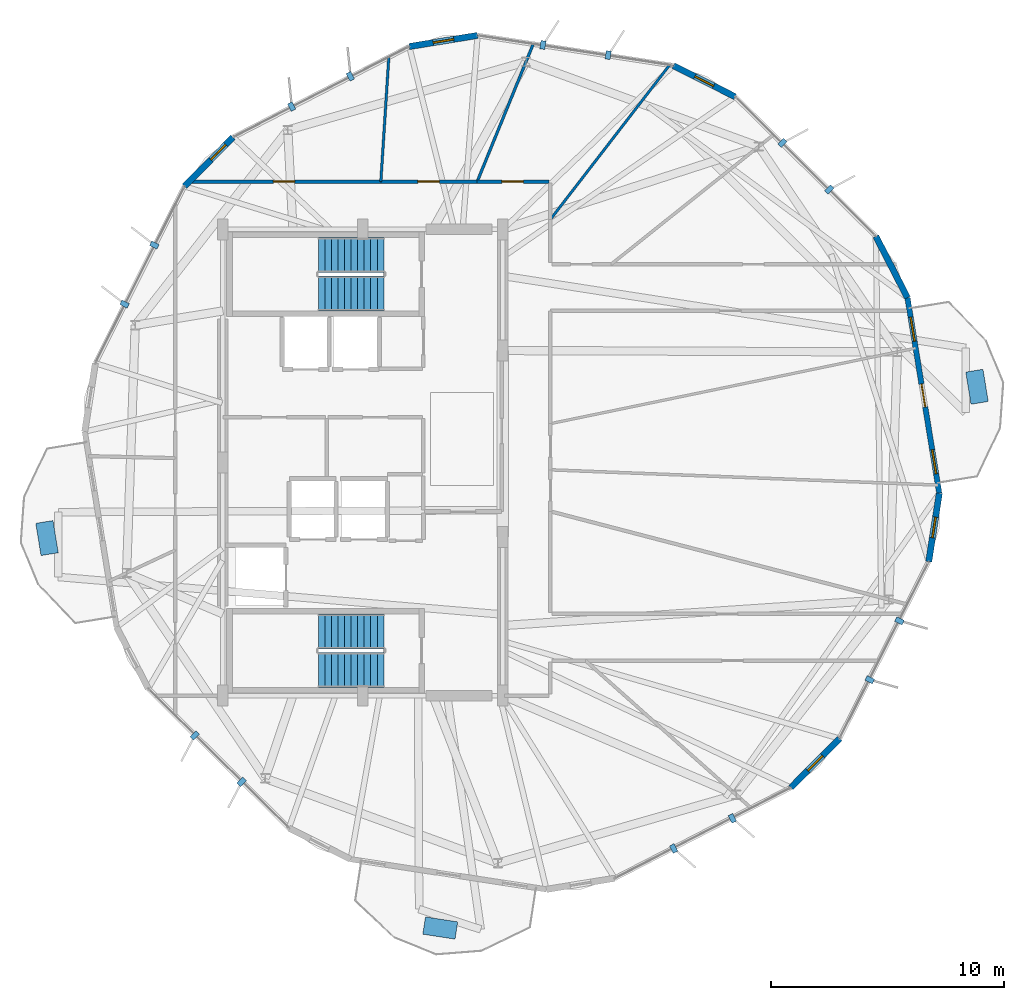
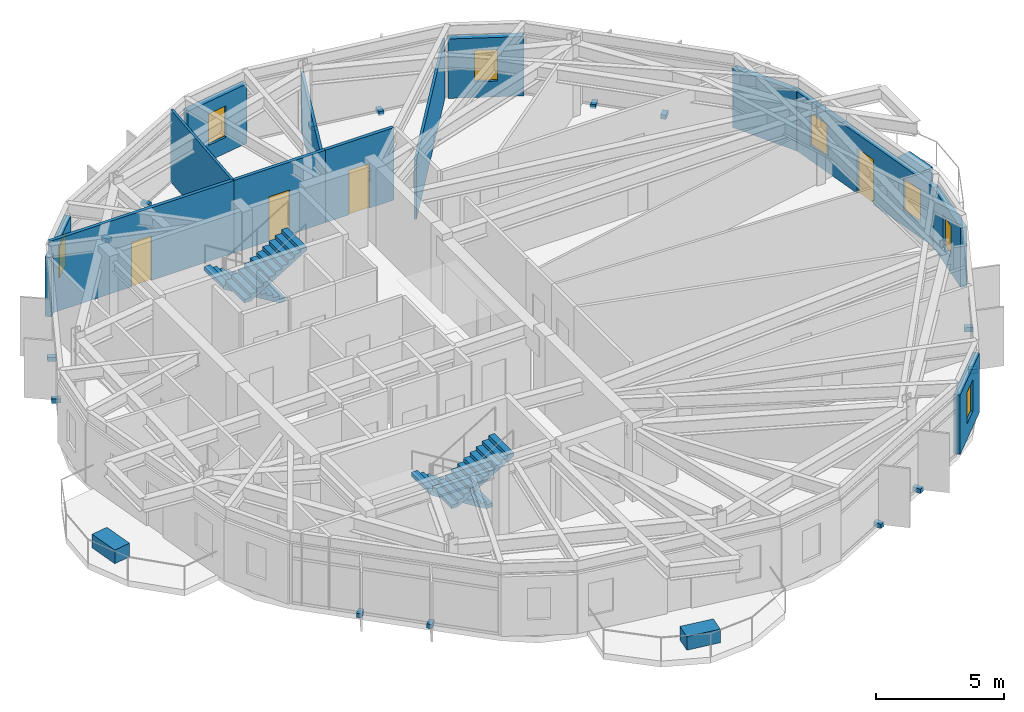
# One storey, part 19 of 22: 17 discrete accessories, 13 walls, 7 windows, 4 doors, 4 stair flights, 11 openings, 2 elements without a shape of their own.
"""IFC4 building model written with IfcOpenShell, lengths in metres."""

from ifc_helpers import new_model, si_unit, direction, frame, frame_2d, origin, origin_2d, place, context, subcontext, project, spatial, polyline, rectangle, outline, extrude, material, layer, layer_set, type_object, element, fill, aggregate, save


model = new_model("IFC4")

# Units and contexts
model_context = context("Model", 3, precision=1e-05, world=origin(), true_north=direction((0.0, 1.0)))
body_context = subcontext(model_context, "Body", "Model", "MODEL_VIEW")
ifc_project = project(units=[si_unit("LENGTHUNIT", "METRE"), si_unit("AREAUNIT", "SQUARE_METRE"), si_unit("VOLUMEUNIT", "CUBIC_METRE"), si_unit("PLANEANGLEUNIT", "RADIAN"), si_unit("MASSUNIT", "GRAM", prefix="KILO")], contexts=[model_context])

# Site, building, storey
site_placement = place(None, origin())
site = spatial("IfcSite", under=ifc_project, at=site_placement, CompositionType="ELEMENT")
building_placement = place(site_placement, origin())
building = spatial("IfcBuilding", under=site, at=building_placement, Name="Soratama Intermodal Tower", CompositionType="ELEMENT")
storey_placement = place(building_placement, frame((0.0, 0.0, 265.0)))
storey = spatial("IfcBuildingStorey", under=building, at=storey_placement, Name="L67", CompositionType="ELEMENT", Elevation=265.0)

# Wall, openings, door, windows
ifc_material_1 = material(Name="Concrete f'c 42 MPa", Category="concrete")
ifc_layer_1 = layer(ifc_material_1, 0.22998046875)
ifc_layer_set_1 = layer_set([ifc_layer_1], Name="Concrete f'c 42 MPa")
wall_type_1 = type_object("IfcWallType", Name="EW-BAL-230", PredefinedType="SOLIDWALL", material=ifc_layer_set_1)
wall_1_placement = place(storey_placement, frame((63.330322265625, 23.67626953125, 0.0), z_axis=(0.0, 0.0, 1.0), x_axis=(-0.16056432401, 0.987025378526, 0.0)))
wall_1 = element("IfcWall", 1, at=wall_1_placement, inside=storey, type_object=wall_type_1, Name="L67 Terrace Wall F09", PredefinedType="SOLIDWALL", context=body_context, shape_type="SweptSolid", body=[
    extrude(rectangle(XDim=8.499755859375, YDim=0.22998046875, at=frame_2d((4.25, 0.0))), origin(), (0.0, 0.0, 1.0), 2.8291015625),
])
opening_1_placement = place(wall_1_placement, frame((3.75, 0.0, 0.0)))
opening_1 = element("IfcOpeningElement", 2, at=opening_1_placement, cuts=wall_1, Name="Opening ED-2", PredefinedType="OPENING", context=body_context, shape_type="SweptSolid", body=[
    extrude(rectangle(XDim=1.0, YDim=2.14990234375, at=frame_2d((0.5, 1.074951171875))), frame((0.0, 0.125, 0.0), z_axis=(0.0, -1.0, 0.0), x_axis=(1.0, 0.0, 0.0)), (0.0, 0.0, 1.0), 0.25),
])
opening_2_placement = place(wall_1_placement, frame((0.844970703125, 0.0, 0.719970703125)))
opening_2 = element("IfcOpeningElement", 3, at=opening_2_placement, cuts=wall_1, Name="Opening WN-5", PredefinedType="OPENING", context=body_context, shape_type="SweptSolid", body=[
    extrude(rectangle(XDim=1.050048828125, YDim=1.550048828125, at=frame_2d((0.52490234375, 0.77490234375))), frame((0.0, 0.125, 0.0), z_axis=(0.0, -1.0, 0.0), x_axis=(1.0, 0.0, 0.0)), (0.0, 0.0, 1.0), 0.25),
])
opening_3_placement = place(wall_1_placement, frame((6.604736328125, 0.0, 0.719970703125)))
opening_3 = element("IfcOpeningElement", 4, at=opening_3_placement, cuts=wall_1, Name="Opening WN-5", PredefinedType="OPENING", context=body_context, shape_type="SweptSolid", body=[
    extrude(rectangle(XDim=1.050048828125, YDim=1.550048828125, at=frame_2d((0.52490234375, 0.77490234375))), frame((0.0, 0.125, 0.0), z_axis=(0.0, -1.0, 0.0), x_axis=(1.0, 0.0, 0.0)), (0.0, 0.0, 1.0), 0.25),
])
ifc_material_2 = material(Name="Double-glazed aluminium door", Category="aluminium")
door_type_1 = type_object("IfcDoorType", Name="DR-BAL-1000", OperationType="NOTDEFINED", PredefinedType="DOOR", material=ifc_material_2)
door_1_placement = place(opening_1_placement, origin())
door_1 = element("IfcDoor", 5, at=door_1_placement, inside=storey, type_object=door_type_1, Name="L67 Balcony Door F09", OperationType="SINGLE_SWING_LEFT", OverallHeight=2.14990234375, OverallWidth=1.0, PredefinedType="DOOR", context=body_context, shape_type="SweptSolid", body=[
    extrude(rectangle(XDim=1.0, YDim=2.14990234375, at=frame_2d((0.5, 1.074951171875))), frame((0.0, 0.02490234375, 0.0), z_axis=(0.0, -1.0, 0.0), x_axis=(1.0, 0.0, 0.0)), (0.0, 0.0, 1.0), 0.050048828125),
])
fill(opening_1, door_1)
ifc_material_3 = material(Name="Double-glazed aluminium window", Category="aluminium")
window_type_1 = type_object("IfcWindowType", Name="WN-FAC-1050", PartitioningType="SINGLE_PANEL", PredefinedType="WINDOW", material=ifc_material_3)
window_1_placement = place(opening_2_placement, origin())
window_1 = element("IfcWindow", 6, at=window_1_placement, inside=storey, type_object=window_type_1, Name="L67 Window A F09", OverallHeight=1.550048828125, OverallWidth=1.050048828125, PartitioningType="SINGLE_PANEL", PredefinedType="WINDOW", context=body_context, shape_type="SweptSolid", body=[
    extrude(rectangle(XDim=1.050048828125, YDim=1.550048828125, at=frame_2d((0.52490234375, 0.77490234375))), frame((0.0, 0.030029296875, 0.0), z_axis=(0.0, -1.0, 0.0), x_axis=(1.0, 0.0, 0.0)), (0.0, 0.0, 1.0), 0.06005859375),
])
fill(opening_2, window_1)
window_2_placement = place(opening_3_placement, origin())
window_2 = element("IfcWindow", 7, at=window_2_placement, inside=storey, type_object=window_type_1, Name="L67 Window B F09", OverallHeight=1.550048828125, OverallWidth=1.050048828125, PartitioningType="SINGLE_PANEL", PredefinedType="WINDOW", context=body_context, shape_type="SweptSolid", body=[
    extrude(rectangle(XDim=1.050048828125, YDim=1.550048828125, at=frame_2d((0.52490234375, 0.77490234375))), frame((0.0, 0.030029296875, 0.0), z_axis=(0.0, -1.0, 0.0), x_axis=(1.0, 0.0, 0.0)), (0.0, 0.0, 1.0), 0.06005859375),
])
fill(opening_3, window_2)

# Wall, opening, window
ifc_material_4 = material(Name="Concrete f'c 42 MPa", Category="concrete")
ifc_layer_2 = layer(ifc_material_4, 0.27001953125)
ifc_layer_set_2 = layer_set([ifc_layer_2], Name="Concrete f'c 42 MPa")
wall_type_2 = type_object("IfcWallType", Name="EW-CRN-270", PredefinedType="SOLIDWALL", material=ifc_layer_set_2)
wall_2_placement = place(storey_placement, frame((43.522705078125, 43.318603515625, 0.0), z_axis=(0.0, 0.0, 1.0), x_axis=(-0.98702699036, -0.16055441539, 0.0)))
wall_2 = element("IfcWall", 8, at=wall_2_placement, inside=storey, type_object=wall_type_2, Name="L67 Corner Closure Wall 01", PredefinedType="SOLIDWALL", context=body_context, shape_type="SweptSolid", body=[
    extrude(rectangle(XDim=2.966796875, YDim=0.27001953125, at=frame_2d((1.4833984375, 0.0))), origin(), (0.0, 0.0, 1.0), 2.8291015625),
])
opening_4_placement = place(wall_2_placement, frame((1.033203125, 0.0, 0.75)))
opening_4 = element("IfcOpeningElement", 9, at=opening_4_placement, cuts=wall_2, Name="Opening WN-6", PredefinedType="OPENING", context=body_context, shape_type="SweptSolid", body=[
    extrude(rectangle(XDim=0.89990234375, YDim=1.5, at=frame_2d((0.449951171875, 0.75))), frame((0.0, 0.14501953125, 0.0), z_axis=(0.0, -1.0, 0.0), x_axis=(1.0, 0.0, 0.0)), (0.0, 0.0, 1.0), 0.2900390625),
])
ifc_material_5 = material(Name="Double-glazed aluminium window", Category="aluminium")
window_type_2 = type_object("IfcWindowType", Name="WN-FAC-900", PartitioningType="SINGLE_PANEL", PredefinedType="WINDOW", material=ifc_material_5)
window_3_placement = place(opening_4_placement, origin())
window_3 = element("IfcWindow", 10, at=window_3_placement, inside=storey, type_object=window_type_2, Name="L67 Corner Window 01", OverallHeight=1.5, OverallWidth=0.89990234375, PartitioningType="SINGLE_PANEL", PredefinedType="WINDOW", context=body_context, shape_type="SweptSolid", body=[
    extrude(rectangle(XDim=0.89990234375, YDim=1.5, at=frame_2d((0.449951171875, 0.75))), frame((0.0, 0.030029296875, 0.0), z_axis=(0.0, -1.0, 0.0), x_axis=(1.0, 0.0, 0.0)), (0.0, 0.0, 1.0), 0.06005859375),
])
fill(opening_4, window_3)

wall_3_placement = place(storey_placement, frame((33.03759765625, 38.95166015625, 0.0), z_axis=(0.0, 0.0, 1.0), x_axis=(-0.704179352497, -0.71002214016, 0.0)))
wall_3 = element("IfcWall", 11, at=wall_3_placement, inside=storey, type_object=wall_type_2, Name="L67 Corner Closure Wall 02", PredefinedType="SOLIDWALL", context=body_context, shape_type="SweptSolid", body=[
    extrude(rectangle(XDim=2.966796875, YDim=0.27001953125, at=frame_2d((1.4833984375, 0.0))), origin(), (0.0, 0.0, 1.0), 2.8291015625),
])
opening_5_placement = place(wall_3_placement, frame((0.449951171875, 0.0, 0.75)))
opening_5 = element("IfcOpeningElement", 12, at=opening_5_placement, cuts=wall_3, Name="Opening WN-6", PredefinedType="OPENING", context=body_context, shape_type="SweptSolid", body=[
    extrude(rectangle(XDim=0.89990234375, YDim=1.5, at=frame_2d((0.449951171875, 0.75))), frame((0.0, 0.14501953125, 0.0), z_axis=(0.0, -1.0, 0.0), x_axis=(1.0, 0.0, 0.0)), (0.0, 0.0, 1.0), 0.2900390625),
])
window_4_placement = place(opening_5_placement, origin())
window_4 = element("IfcWindow", 13, at=window_4_placement, inside=storey, type_object=window_type_2, Name="L67 Corner Window 02", OverallHeight=1.5, OverallWidth=0.89990234375, PartitioningType="SINGLE_PANEL", PredefinedType="WINDOW", context=body_context, shape_type="SweptSolid", body=[
    extrude(rectangle(XDim=0.89990234375, YDim=1.5, at=frame_2d((0.449951171875, 0.75))), frame((0.0, 0.030029296875, 0.0), z_axis=(0.0, -1.0, 0.0), x_axis=(1.0, 0.0, 0.0)), (0.0, 0.0, 1.0), 0.06005859375),
])
fill(opening_5, window_4)

wall_4_placement = place(storey_placement, frame((56.96240234375, 11.04833984375, 0.0), z_axis=(0.0, 0.0, 1.0), x_axis=(0.704179352497, 0.71002214016, 0.0)))
wall_4 = element("IfcWall", 14, at=wall_4_placement, inside=storey, type_object=wall_type_2, Name="L67 Corner Closure Wall 07", PredefinedType="SOLIDWALL", context=body_context, shape_type="SweptSolid", body=[
    extrude(rectangle(XDim=2.966796875, YDim=0.27001953125, at=frame_2d((1.4833984375, 0.0))), origin(), (0.0, 0.0, 1.0), 2.8291015625),
])
opening_6_placement = place(wall_4_placement, frame((1.033203125, 0.0, 0.75)))
opening_6 = element("IfcOpeningElement", 15, at=opening_6_placement, cuts=wall_4, Name="Opening WN-6", PredefinedType="OPENING", context=body_context, shape_type="SweptSolid", body=[
    extrude(rectangle(XDim=0.89990234375, YDim=1.5, at=frame_2d((0.449951171875, 0.75))), frame((0.0, 0.14501953125, 0.0), z_axis=(0.0, -1.0, 0.0), x_axis=(1.0, 0.0, 0.0)), (0.0, 0.0, 1.0), 0.2900390625),
])
window_5_placement = place(opening_6_placement, origin())
window_5 = element("IfcWindow", 16, at=window_5_placement, inside=storey, type_object=window_type_2, Name="L67 Corner Window 07", OverallHeight=1.5, OverallWidth=0.89990234375, PartitioningType="SINGLE_PANEL", PredefinedType="WINDOW", context=body_context, shape_type="SweptSolid", body=[
    extrude(rectangle(XDim=0.89990234375, YDim=1.5, at=frame_2d((0.449951171875, 0.75))), frame((0.0, 0.030029296875, 0.0), z_axis=(0.0, -1.0, 0.0), x_axis=(1.0, 0.0, 0.0)), (0.0, 0.0, 1.0), 0.06005859375),
])
fill(opening_6, window_5)

wall_5_placement = place(storey_placement, frame((62.87841796875, 20.744384765625, 0.0), z_axis=(0.0, 0.0, 1.0), x_axis=(0.152335472576, 0.988328843956, 0.0)))
wall_5 = element("IfcWall", 17, at=wall_5_placement, inside=storey, type_object=wall_type_2, Name="L67 Corner Closure Wall 08", PredefinedType="SOLIDWALL", context=body_context, shape_type="SweptSolid", body=[
    extrude(rectangle(XDim=2.966552734375, YDim=0.27001953125, at=frame_2d((1.4833984375, 0.0))), origin(), (0.0, 0.0, 1.0), 2.8291015625),
])
opening_7_placement = place(wall_5_placement, frame((1.033203125, 0.0, 0.75)))
opening_7 = element("IfcOpeningElement", 18, at=opening_7_placement, cuts=wall_5, Name="Opening WN-6", PredefinedType="OPENING", context=body_context, shape_type="SweptSolid", body=[
    extrude(rectangle(XDim=0.89990234375, YDim=1.5, at=frame_2d((0.449951171875, 0.75))), frame((0.0, 0.14501953125, 0.0), z_axis=(0.0, -1.0, 0.0), x_axis=(1.0, 0.0, 0.0)), (0.0, 0.0, 1.0), 0.2900390625),
])
window_6_placement = place(opening_7_placement, origin())
window_6 = element("IfcWindow", 19, at=window_6_placement, inside=storey, type_object=window_type_2, Name="L67 Corner Window 08", OverallHeight=1.5, OverallWidth=0.89990234375, PartitioningType="SINGLE_PANEL", PredefinedType="WINDOW", context=body_context, shape_type="SweptSolid", body=[
    extrude(rectangle(XDim=0.89990234375, YDim=1.5, at=frame_2d((0.449951171875, 0.75))), frame((0.0, 0.030029296875, 0.0), z_axis=(0.0, -1.0, 0.0), x_axis=(1.0, 0.0, 0.0)), (0.0, 0.0, 1.0), 0.06005859375),
])
fill(opening_7, window_6)

# Wall
wall_6_placement = place(storey_placement, frame((61.965576171875, 32.065673828125, 0.0), z_axis=(0.0, 0.0, 1.0), x_axis=(-0.457716142293, 0.889098382118, 0.0)))
element("IfcWall", 20, at=wall_6_placement, inside=storey, type_object=wall_type_2, Name="L67 Corner Closure Wall 09", PredefinedType="SOLIDWALL", context=body_context, shape_type="SweptSolid", body=[
    extrude(rectangle(XDim=2.966796875, YDim=0.27001953125, at=frame_2d((1.4833984375, 0.0))), origin(), (0.0, 0.0, 1.0), 2.8291015625),
])

# Wall, opening, window
wall_7_placement = place(storey_placement, frame((54.572265625, 40.688232421875, 0.0), z_axis=(0.0, 0.0, 1.0), x_axis=(-0.892907823858, 0.450239511919, 0.0)))
wall_7 = element("IfcWall", 21, at=wall_7_placement, inside=storey, type_object=wall_type_2, Name="L67 Corner Closure Wall 10", PredefinedType="SOLIDWALL", context=body_context, shape_type="SweptSolid", body=[
    extrude(rectangle(XDim=2.966552734375, YDim=0.27001953125, at=frame_2d((1.4833984375, 0.0))), origin(), (0.0, 0.0, 1.0), 2.8291015625),
])
opening_8_placement = place(wall_7_placement, frame((1.033203125, 0.0, 0.75)))
opening_8 = element("IfcOpeningElement", 22, at=opening_8_placement, cuts=wall_7, Name="Opening WN-6", PredefinedType="OPENING", context=body_context, shape_type="SweptSolid", body=[
    extrude(rectangle(XDim=0.89990234375, YDim=1.5, at=frame_2d((0.449951171875, 0.75))), frame((0.0, 0.14501953125, 0.0), z_axis=(0.0, -1.0, 0.0), x_axis=(1.0, 0.0, 0.0)), (0.0, 0.0, 1.0), 0.2900390625),
])
window_7_placement = place(opening_8_placement, origin())
window_7 = element("IfcWindow", 23, at=window_7_placement, inside=storey, type_object=window_type_2, Name="L67 Corner Window 10", OverallHeight=1.5, OverallWidth=0.89990234375, PartitioningType="SINGLE_PANEL", PredefinedType="WINDOW", context=body_context, shape_type="SweptSolid", body=[
    extrude(rectangle(XDim=0.89990234375, YDim=1.5, at=frame_2d((0.449951171875, 0.75))), frame((0.0, 0.030029296875, 0.0), z_axis=(0.0, -1.0, 0.0), x_axis=(1.0, 0.0, 0.0)), (0.0, 0.0, 1.0), 0.06005859375),
])
fill(opening_8, window_7)

# Wall, opening, door
ifc_material_6 = material(Name="Fire-rated gypsum stud partition", Category="concrete")
ifc_layer_3 = layer(ifc_material_6, 0.14990234375)
ifc_layer_set_3 = layer_set([ifc_layer_3], Name="Fire-rated gypsum stud partition")
wall_type_3 = type_object("IfcWallType", Name="IW-PART-R150", PredefinedType="PARTITIONING", material=ifc_layer_set_3)
wall_8_placement = place(storey_placement, frame((31.095947265625, 37.050048828125, 0.0), z_axis=(0.0, 0.0, 1.0), x_axis=(1.0, 0.0, 0.0)))
wall_8 = element("IfcWall", 24, at=wall_8_placement, inside=storey, type_object=wall_type_3, Name="L67 Partition W-L67-TP012", PredefinedType="PARTITIONING", context=body_context, shape_type="SweptSolid", body=[
    extrude(rectangle(XDim=8.277099609375, YDim=0.14990234375, at=frame_2d((4.138671875, 0.0))), origin(), (0.0, 0.0, 1.0), 3.449951171875),
])
opening_9_placement = place(wall_8_placement, frame((3.6630859375, 0.0, 0.0)))
opening_9 = element("IfcOpeningElement", 25, at=opening_9_placement, cuts=wall_8, Name="Opening ID-6", PredefinedType="OPENING", context=body_context, shape_type="SweptSolid", body=[
    extrude(rectangle(XDim=0.919921875, YDim=2.1201171875, at=frame_2d((0.4599609375, 1.06005859375))), frame((0.0, 0.0849609375, 0.0), z_axis=(0.0, -1.0, 0.0), x_axis=(1.0, 0.0, 0.0)), (0.0, 0.0, 1.0), 0.169921875),
])
ifc_material_7 = material(Name="Solid hardwood acoustic door", Category="wood")
door_type_2 = type_object("IfcDoorType", Name="DR-ROOM-920", OperationType="NOTDEFINED", PredefinedType="DOOR", material=ifc_material_7)
door_2_placement = place(opening_9_placement, origin())
door_2 = element("IfcDoor", 26, at=door_2_placement, inside=storey, type_object=door_type_2, Name="L67 Door D-L67-TP006", OperationType="SINGLE_SWING_LEFT", OverallHeight=2.1201171875, OverallWidth=0.919921875, PredefinedType="DOOR", context=body_context, shape_type="SweptSolid", body=[
    extrude(rectangle(XDim=0.919921875, YDim=2.1201171875, at=frame_2d((0.4599609375, 1.06005859375))), frame((0.0, 0.02490234375, 0.0), z_axis=(0.0, -1.0, 0.0), x_axis=(1.0, 0.0, 0.0)), (0.0, 0.0, 1.0), 0.050048828125),
])
fill(opening_9, door_2)

wall_9_placement = place(storey_placement, frame((39.373046875, 37.050048828125, 0.0), z_axis=(0.0, 0.0, 1.0), x_axis=(1.0, 0.0, 0.0)))
wall_9 = element("IfcWall", 27, at=wall_9_placement, inside=storey, type_object=wall_type_3, Name="L67 Partition W-L67-TP020", PredefinedType="PARTITIONING", context=body_context, shape_type="SweptSolid", body=[
    extrude(rectangle(XDim=4.135009765625, YDim=0.14990234375, at=frame_2d((2.0673828125, 0.0))), origin(), (0.0, 0.0, 1.0), 3.449951171875),
])
opening_10_placement = place(wall_9_placement, frame((1.593017578125, 0.0, 0.0)))
opening_10 = element("IfcOpeningElement", 28, at=opening_10_placement, cuts=wall_9, Name="Opening ID-6", PredefinedType="OPENING", context=body_context, shape_type="SweptSolid", body=[
    extrude(rectangle(XDim=0.919921875, YDim=2.1201171875, at=frame_2d((0.4599609375, 1.06005859375))), frame((0.0, 0.0849609375, 0.0), z_axis=(0.0, -1.0, 0.0), x_axis=(1.0, 0.0, 0.0)), (0.0, 0.0, 1.0), 0.169921875),
])
door_3_placement = place(opening_10_placement, origin())
door_3 = element("IfcDoor", 29, at=door_3_placement, inside=storey, type_object=door_type_2, Name="L67 Door D-L67-TP010", OperationType="SINGLE_SWING_LEFT", OverallHeight=2.1201171875, OverallWidth=0.919921875, PredefinedType="DOOR", context=body_context, shape_type="SweptSolid", body=[
    extrude(rectangle(XDim=0.919921875, YDim=2.1201171875, at=frame_2d((0.4599609375, 1.06005859375))), frame((0.0, 0.02490234375, 0.0), z_axis=(0.0, -1.0, 0.0), x_axis=(1.0, 0.0, 0.0)), (0.0, 0.0, 1.0), 0.050048828125),
])
fill(opening_10, door_3)

wall_10_placement = place(storey_placement, frame((43.508056640625, 37.050048828125, 0.0), z_axis=(0.0, 0.0, 1.0), x_axis=(1.0, 0.0, 0.0)))
wall_10 = element("IfcWall", 30, at=wall_10_placement, inside=storey, type_object=wall_type_3, Name="L67 Partition W-L67-TP026", PredefinedType="PARTITIONING", context=body_context, shape_type="SweptSolid", body=[
    extrude(rectangle(XDim=3.072021484375, YDim=0.14990234375, at=frame_2d((1.5361328125, 0.0))), origin(), (0.0, 0.0, 1.0), 3.449951171875),
])
opening_11_placement = place(wall_10_placement, frame((1.06103515625, 0.0, 0.0)))
opening_11 = element("IfcOpeningElement", 31, at=opening_11_placement, cuts=wall_10, Name="Opening ID-6", PredefinedType="OPENING", context=body_context, shape_type="SweptSolid", body=[
    extrude(rectangle(XDim=0.919921875, YDim=2.1201171875, at=frame_2d((0.4599609375, 1.06005859375))), frame((0.0, 0.0849609375, 0.0), z_axis=(0.0, -1.0, 0.0), x_axis=(1.0, 0.0, 0.0)), (0.0, 0.0, 1.0), 0.169921875),
])
door_4_placement = place(opening_11_placement, origin())
door_4 = element("IfcDoor", 32, at=door_4_placement, inside=storey, type_object=door_type_2, Name="L67 Door D-L67-TP014", OperationType="SINGLE_SWING_LEFT", OverallHeight=2.1201171875, OverallWidth=0.919921875, PredefinedType="DOOR", context=body_context, shape_type="SweptSolid", body=[
    extrude(rectangle(XDim=0.919921875, YDim=2.1201171875, at=frame_2d((0.4599609375, 1.06005859375))), frame((0.0, 0.02490234375, 0.0), z_axis=(0.0, -1.0, 0.0), x_axis=(1.0, 0.0, 0.0)), (0.0, 0.0, 1.0), 0.050048828125),
])
fill(opening_11, door_4)

# Walls
ifc_material_8 = material(Name="Fire-rated gypsum stud partition", Category="concrete")
ifc_layer_4 = layer(ifc_material_8, 0.110107421875)
ifc_layer_set_4 = layer_set([ifc_layer_4], Name="Fire-rated gypsum stud partition")
wall_type_4 = type_object("IfcWallType", Name="IW-PART-S110", PredefinedType="PARTITIONING", material=ifc_layer_set_4)
wall_11_placement = place(storey_placement, frame((46.64990234375, 35.428955078125, 0.0), z_axis=(0.0, 0.0, 1.0), x_axis=(0.611113468405, 0.791543004981, 0.0)))
element("IfcWall", 33, at=wall_11_placement, inside=storey, type_object=wall_type_4, Name="L67 Partition W-L67-TP011", PredefinedType="PARTITIONING", context=body_context, shape_type="SweptSolid", body=[
    extrude(rectangle(XDim=8.363525390625, YDim=0.110107421875, at=frame_2d((4.181640625, 0.0))), origin(), (0.0, 0.0, 1.0), 2.827880859375),
])
wall_12_placement = place(storey_placement, frame((39.373046875, 37.050048828125, 0.0), z_axis=(0.0, 0.0, 1.0), x_axis=(0.064105254011, 0.997943142873, 0.0)))
element("IfcWall", 34, at=wall_12_placement, inside=storey, type_object=wall_type_4, Name="L67 Partition W-L67-TP016", PredefinedType="PARTITIONING", context=body_context, shape_type="SweptSolid", body=[
    extrude(rectangle(XDim=5.350830078125, YDim=0.110107421875, at=frame_2d((2.67529296875, 0.0))), origin(), (0.0, 0.0, 1.0), 3.449951171875),
])
ifc_material_9 = material(Name="Fire-rated gypsum stud partition", Category="concrete")
ifc_layer_5 = layer(ifc_material_9, 0.1201171875)
ifc_layer_set_5 = layer_set([ifc_layer_5], Name="Fire-rated gypsum stud partition")
wall_type_5 = type_object("IfcWallType", Name="IW-PART-S120", PredefinedType="PARTITIONING", material=ifc_layer_set_5)
wall_13_placement = place(storey_placement, frame((43.508056640625, 37.050048828125, 0.0), z_axis=(0.0, 0.0, 1.0), x_axis=(0.377131345073, 0.926159785654, 0.0)))
element("IfcWall", 35, at=wall_13_placement, inside=storey, type_object=wall_type_5, Name="L67 Partition W-L67-TP015", PredefinedType="PARTITIONING", context=body_context, shape_type="SweptSolid", body=[
    extrude(rectangle(XDim=6.371337890625, YDim=0.1201171875, at=frame_2d((3.185546875, 0.0))), origin(), (0.0, 0.0, 1.0), 2.7451171875),
])

# Stair, stair flights
ifc_material_10 = material(Name="Concrete f'c 42 MPa", Category="concrete")
stair_type = type_object("IfcStairType", Name="ST-CORE-DOGLEG", PredefinedType="HALF_TURN_STAIR", material=ifc_material_10)
stair_1_placement = place(storey_placement, origin())
stair_1 = element("IfcStair", 36, at=stair_1_placement, inside=storey, type_object=stair_type, Name="L67 ST-1", PredefinedType="HALF_TURN_STAIR")
ifc_material_11 = material(Name="Precast concrete f'c 40 MPa", Category="concrete")
ifc_layer_6 = layer(ifc_material_11, 0.199951171875)
ifc_layer_set_6 = layer_set([ifc_layer_6], Name="Precast concrete f'c 40 MPa")
stair_flight_type = type_object("IfcStairFlightType", Name="SF-FLIGHT-RC", PredefinedType="STRAIGHT", material=ifc_layer_set_6)
stair_flight_1_placement = place(storey_placement, frame((39.5, 17.75, 0.0), z_axis=(0.0, 0.0, 1.0), x_axis=(-1.0, 0.0, 0.0)))
stair_flight_1 = element("IfcStairFlight", 37, at=stair_flight_1_placement, type_object=stair_flight_type, Name="ST-1 flight 1", NumberOfRisers=11, NumberOfTreads=10, PredefinedType="STRAIGHT", RiserHeight=0.170454545, TreadLength=0.28, context=body_context, shape_type="SweptSolid", body=[
    extrude(outline(polyline([(0.0, 0.0), (0.0, 0.17041015625), (0.280029296875, 0.17041015625), (0.280029296875, 0.3408203125), (0.56005859375, 0.3408203125), (0.56005859375, 0.511474609375), (0.840087890625, 0.511474609375), (0.840087890625, 0.681884765625), (1.1201171875, 0.681884765625), (1.1201171875, 0.852294921875), (1.39990234375, 0.852294921875), (1.39990234375, 1.022705078125), (1.679931640625, 1.022705078125), (1.679931640625, 1.193115234375), (1.9599609375, 1.193115234375), (1.9599609375, 1.363525390625), (2.239990234375, 1.363525390625), (2.239990234375, 1.5341796875), (2.52001953125, 1.5341796875), (2.52001953125, 1.70458984375), (2.800048828125, 1.70458984375), (2.800048828125, 1.875), (2.800048828125, 1.529052734375), (0.288330078125, 0.0), (0.0, 0.0)])), frame((0.0, 0.75, 0.0), z_axis=(0.0, -1.0, 0.0), x_axis=(1.0, 0.0, 0.0)), (0.0, 0.0, 1.0), 1.5),
])
stair_flight_2_placement = place(storey_placement, frame((36.699951171875, 16.10009765625, 1.875), z_axis=(0.0, 0.0, 1.0), x_axis=(1.0, 0.0, 0.0)))
stair_flight_2 = element("IfcStairFlight", 38, at=stair_flight_2_placement, type_object=stair_flight_type, Name="ST-1 flight 2", NumberOfRisers=11, NumberOfTreads=10, PredefinedType="STRAIGHT", RiserHeight=0.170454545, TreadLength=0.28, context=body_context, shape_type="SweptSolid", body=[
    extrude(outline(polyline([(0.0, 0.0), (0.0, 0.17041015625), (0.280029296875, 0.17041015625), (0.280029296875, 0.3408203125), (0.56005859375, 0.3408203125), (0.56005859375, 0.511474609375), (0.840087890625, 0.511474609375), (0.840087890625, 0.681884765625), (1.1201171875, 0.681884765625), (1.1201171875, 0.852294921875), (1.39990234375, 0.852294921875), (1.39990234375, 1.022705078125), (1.679931640625, 1.022705078125), (1.679931640625, 1.193115234375), (1.9599609375, 1.193115234375), (1.9599609375, 1.363525390625), (2.239990234375, 1.363525390625), (2.239990234375, 1.5341796875), (2.52001953125, 1.5341796875), (2.52001953125, 1.70458984375), (2.800048828125, 1.70458984375), (2.800048828125, 1.875), (2.800048828125, 1.529052734375), (0.288330078125, 0.0), (0.0, 0.0)])), frame((0.0, 0.75, 0.0), z_axis=(0.0, -1.0, 0.0), x_axis=(1.0, 0.0, 0.0)), (0.0, 0.0, 1.0), 1.5),
])
aggregate(stair_1, [stair_flight_1, stair_flight_2])

stair_2_placement = place(storey_placement, origin())
stair_2 = element("IfcStair", 39, at=stair_2_placement, inside=storey, type_object=stair_type, Name="L67 ST-2", PredefinedType="HALF_TURN_STAIR")
stair_flight_3_placement = place(storey_placement, frame((39.5, 33.89990234375, 0.0), z_axis=(0.0, 0.0, 1.0), x_axis=(-1.0, 0.0, 0.0)))
stair_flight_3 = element("IfcStairFlight", 40, at=stair_flight_3_placement, type_object=stair_flight_type, Name="ST-2 flight 1", NumberOfRisers=11, NumberOfTreads=10, PredefinedType="STRAIGHT", RiserHeight=0.170454545, TreadLength=0.28, context=body_context, shape_type="SweptSolid", body=[
    extrude(outline(polyline([(0.0, 0.0), (0.0, 0.17041015625), (0.280029296875, 0.17041015625), (0.280029296875, 0.3408203125), (0.56005859375, 0.3408203125), (0.56005859375, 0.511474609375), (0.840087890625, 0.511474609375), (0.840087890625, 0.681884765625), (1.1201171875, 0.681884765625), (1.1201171875, 0.852294921875), (1.39990234375, 0.852294921875), (1.39990234375, 1.022705078125), (1.679931640625, 1.022705078125), (1.679931640625, 1.193115234375), (1.9599609375, 1.193115234375), (1.9599609375, 1.363525390625), (2.239990234375, 1.363525390625), (2.239990234375, 1.5341796875), (2.52001953125, 1.5341796875), (2.52001953125, 1.70458984375), (2.800048828125, 1.70458984375), (2.800048828125, 1.875), (2.800048828125, 1.529052734375), (0.288330078125, 0.0), (0.0, 0.0)])), frame((0.0, 0.75, 0.0), z_axis=(0.0, -1.0, 0.0), x_axis=(1.0, 0.0, 0.0)), (0.0, 0.0, 1.0), 1.5),
])
stair_flight_4_placement = place(storey_placement, frame((36.699951171875, 32.25, 1.875), z_axis=(0.0, 0.0, 1.0), x_axis=(1.0, 0.0, 0.0)))
stair_flight_4 = element("IfcStairFlight", 41, at=stair_flight_4_placement, type_object=stair_flight_type, Name="ST-2 flight 2", NumberOfRisers=11, NumberOfTreads=10, PredefinedType="STRAIGHT", RiserHeight=0.170454545, TreadLength=0.28, context=body_context, shape_type="SweptSolid", body=[
    extrude(outline(polyline([(0.0, 0.0), (0.0, 0.17041015625), (0.280029296875, 0.17041015625), (0.280029296875, 0.3408203125), (0.56005859375, 0.3408203125), (0.56005859375, 0.511474609375), (0.840087890625, 0.511474609375), (0.840087890625, 0.681884765625), (1.1201171875, 0.681884765625), (1.1201171875, 0.852294921875), (1.39990234375, 0.852294921875), (1.39990234375, 1.022705078125), (1.679931640625, 1.022705078125), (1.679931640625, 1.193115234375), (1.9599609375, 1.193115234375), (1.9599609375, 1.363525390625), (2.239990234375, 1.363525390625), (2.239990234375, 1.5341796875), (2.52001953125, 1.5341796875), (2.52001953125, 1.70458984375), (2.800048828125, 1.70458984375), (2.800048828125, 1.875), (2.800048828125, 1.529052734375), (0.288330078125, 0.0), (0.0, 0.0)])), frame((0.0, 0.75, 0.0), z_axis=(0.0, -1.0, 0.0), x_axis=(1.0, 0.0, 0.0)), (0.0, 0.0, 1.0), 1.5),
])
aggregate(stair_2, [stair_flight_3, stair_flight_4])

# Discrete accessories
ifc_material_12 = material(Name="Structural steel ASTM A992 Grade 50", Category="steel")
discrete_accessory_type_1 = type_object("IfcDiscreteAccessoryType", Name="AC-FIN-BRACKET", PredefinedType="BRACKET", material=ifc_material_12)
for number, where, z_axis, x_axis, name in (
    (42, (49.126220703125, 42.475341796875, -0.080078125), (0.0, 0.0, 1.0), (0.152295885498, 0.988334944875, 0.0), "L67 Fin Bracket F01-1"),
    (43, (46.325927734375, 42.90673828125, -0.080078125), (0.0, 0.0, 1.0), (0.152295885498, 0.988334944875, 0.0), "L67 Fin Bracket F01-2"),
    (44, (38.06640625, 41.56298828125, -0.080078125), (0.0, 0.0, 1.0), (-0.457718745382, 0.889097042019, 0.0), "L67 Fin Bracket F02-1"),
    (45, (35.54736328125, 40.266357421875, -0.080078125), (0.0, 0.0, 1.0), (-0.457718745382, 0.889097042019, 0.0), "L67 Fin Bracket F02-2"),
    (46, (29.655029296875, 34.324462890625, -0.080078125), (0.0, 0.0, 1.0), (-0.892900372813, 0.450254288408, 0.0), "L67 Fin Bracket F03-1"),
    (47, (28.37939453125, 31.79443359375, -0.080078125), (0.0, 0.0, 1.0), (-0.892900372813, 0.450254288408, 0.0), "L67 Fin Bracket F03-2"),
    (48, (31.39013671875, 13.28759765625, -0.080078125), (0.0, 0.0, 1.0), (-0.704138664464, -0.710062491058, 0.0), "L67 Fin Bracket F05-1"),
    (49, (33.40185546875, 11.29248046875, -0.080078125), (0.0, 0.0, 1.0), (-0.704138664464, -0.710062491058, 0.0), "L67 Fin Bracket F05-2"),
    (50, (51.93359375, 8.43701171875, -0.080078125), (0.0, 0.0, 1.0), (0.457718745382, -0.889097042019, 0.0), "L67 Fin Bracket F07-1"),
    (51, (54.45263671875, 9.733642578125, -0.080078125), (0.0, 0.0, 1.0), (0.457718745382, -0.889097042019, 0.0), "L67 Fin Bracket F07-2"),
    (52, (60.344970703125, 15.675537109375, -0.080078125), (0.0, 0.0, 1.0), (0.892900372813, -0.450254288408, 0.0), "L67 Fin Bracket F08-1"),
    (53, (61.62060546875, 18.20556640625, -0.080078125), (0.0, 0.0, 1.0), (0.892900372813, -0.450254288408, 0.0), "L67 Fin Bracket F08-2"),
    (54, (58.60986328125, 36.71240234375, -0.080078125), (0.0, 0.0, 1.0), (0.704138664464, 0.710062491058, 0.0), "L67 Fin Bracket F10-1"),
    (55, (56.59814453125, 38.70751953125, -0.080078125), (0.0, 0.0, 1.0), (0.704138664464, 0.710062491058, 0.0), "L67 Fin Bracket F10-2"),
):
    element("IfcDiscreteAccessory", number, at=place(storey_placement, frame(where, z_axis=z_axis, x_axis=x_axis)), inside=storey, type_object=discrete_accessory_type_1, Name=name, PredefinedType="BRACKET", context=body_context, shape_type="SweptSolid", body=[
        extrude(rectangle(XDim=0.360107421875, YDim=0.219970703125, at=origin_2d()), origin(), (0.0, 0.0, 1.0), 0.199951171875),
    ])
ifc_material_13 = material(Name="Precast concrete f'c 40 MPa", Category="concrete")
discrete_accessory_type_2 = type_object("IfcDiscreteAccessoryType", Name="AC-PLANTER-TREE", PredefinedType="USERDEFINED", material=ifc_material_13)
for number, where, z_axis, x_axis, name in (
    (56, (64.94775390625, 28.2451171875, 0.0), (0.0, 0.0, 1.0), (0.987024406397, 0.160570299793, 0.0), "L67 Tree Planter 1"),
    (57, (25.05224609375, 21.7548828125, 0.0), (0.0, 0.0, 1.0), (-0.987024406397, -0.160570299793, 0.0), "L67 Tree Planter 2"),
    (58, (41.922119140625, 5.02587890625, 0.0), (0.0, 0.0, 1.0), (-0.152295885498, -0.988334944875, 0.0), "L67 Tree Planter 3"),
):
    element("IfcDiscreteAccessory", number, at=place(storey_placement, frame(where, z_axis=z_axis, x_axis=x_axis)), inside=storey, type_object=discrete_accessory_type_2, Name=name, ObjectType="PLANTER", PredefinedType="USERDEFINED", context=body_context, shape_type="SweptSolid", body=[
        extrude(rectangle(XDim=0.75, YDim=1.39990234375, at=origin_2d()), origin(), (0.0, 0.0, 1.0), 0.64990234375),
    ])

save(model, "model.ifc")
